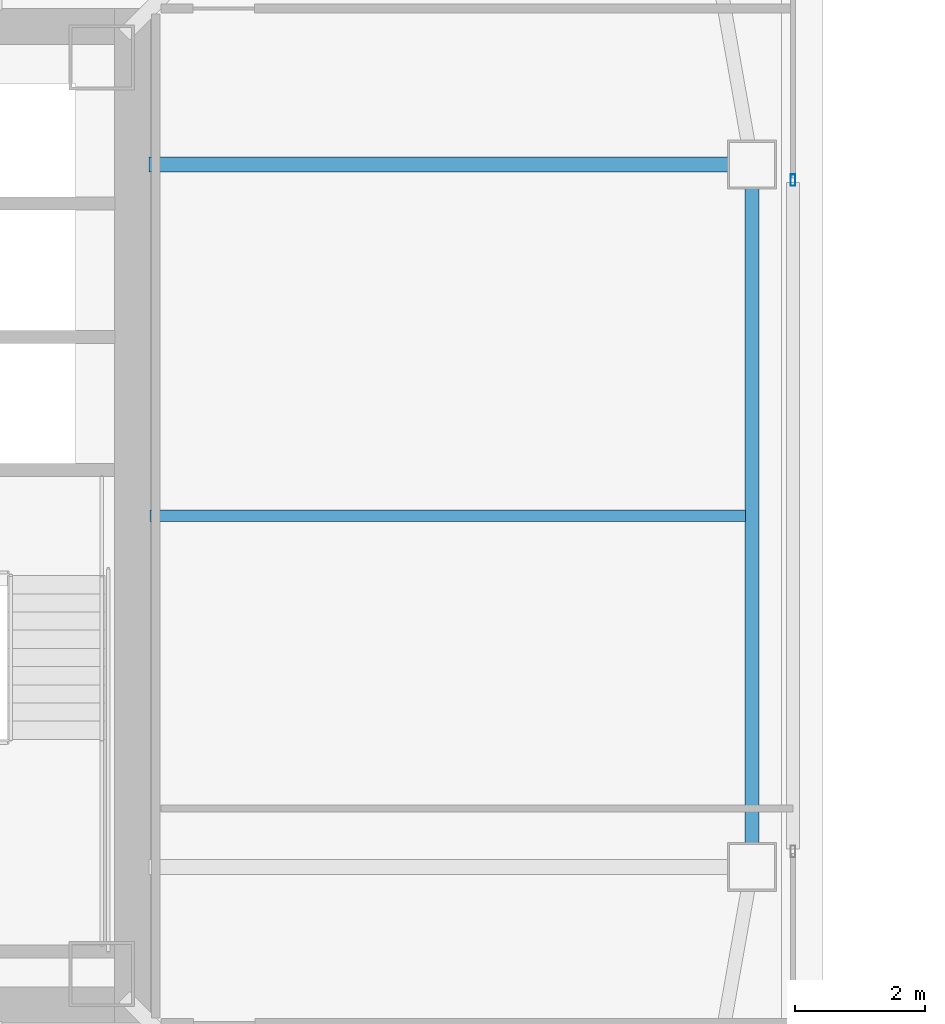
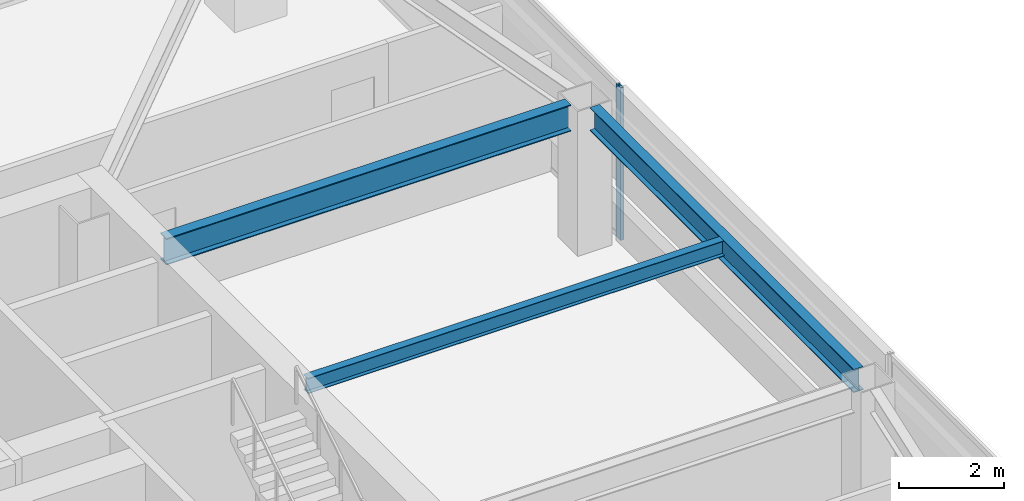
# One storey, part 10 of 41: 3 beams, 1 member, 1 element without a shape of its own.
"""IFC4 building model written with IfcOpenShell, lengths in metres."""

from ifc_helpers import new_model, si_unit, direction, frame, origin, origin_2d, place, context, subcontext, project, spatial, hollow_rectangle, i_section, extrude, material, material_profile, profile_set, type_object, element, aggregate, save


model = new_model("IFC4")

# Units and contexts
model_context = context("Model", 3, precision=1e-05, world=origin(), true_north=direction((0.0, 1.0)))
body_context = subcontext(model_context, "Body", "Model", "MODEL_VIEW")
ifc_project = project(units=[si_unit("LENGTHUNIT", "METRE"), si_unit("AREAUNIT", "SQUARE_METRE"), si_unit("VOLUMEUNIT", "CUBIC_METRE"), si_unit("PLANEANGLEUNIT", "RADIAN"), si_unit("MASSUNIT", "GRAM", prefix="KILO")], contexts=[model_context])

# Site, building, storey
site_placement = place(None, origin())
site = spatial("IfcSite", under=ifc_project, at=site_placement, CompositionType="ELEMENT")
building_placement = place(site_placement, origin())
building = spatial("IfcBuilding", under=site, at=building_placement, Name="Tashvorn Skyway Center", CompositionType="ELEMENT")
storey_placement = place(building_placement, frame((0.0, 0.0, 192.5)))
storey = spatial("IfcBuildingStorey", under=building, at=storey_placement, Name="L52", CompositionType="ELEMENT", Elevation=192.5)

# Beams
ifc_material_1 = material(Name="Steel ASTM A992 Grade 50", Category="steel")
ifc_material_profile_1 = material_profile(ifc_material_1, i_section(OverallWidth=0.22998046875, OverallDepth=0.616943359375, WebThickness=0.01318359375, FlangeThickness=0.022216796875, at=origin_2d()), Name="W24X94")
ifc_profile_set_1 = profile_set([ifc_material_profile_1], Name="Steel ASTM A992 Grade 50")
beam_type_1 = type_object("IfcBeamType", Name="BM-BEAM-W24X94", PredefinedType="BEAM", material=ifc_profile_set_1)
beam_1_placement = place(storey_placement, frame((58.679931640625, 37.39990234375, 3.0615234375), z_axis=(-1.0, 0.0, 0.0), x_axis=(0.0, -1.0, 0.0)))
element("IfcBeam", 1, at=beam_1_placement, inside=storey, type_object=beam_type_1, Name="Tower 1 L52 Primary Floor Girder FC-E2", PredefinedType="BEAM", context=body_context, shape_type="SweptSolid", body=[
    extrude(i_section(OverallWidth=0.22998046875, OverallDepth=0.616943359375, WebThickness=0.01318359375, FlangeThickness=0.022216796875, at=origin_2d()), origin(), (0.0, 0.0, 1.0), 8.89990234375),
])
ifc_material_profile_2 = material_profile(ifc_material_1, i_section(OverallWidth=0.1708984375, OverallDepth=0.35498046875, WebThickness=0.007080078125, FlangeThickness=0.01171875, at=origin_2d()), Name="W14X34")
ifc_profile_set_2 = profile_set([ifc_material_profile_2], Name="Steel ASTM A992 Grade 50")
beam_type_2 = type_object("IfcBeamType", Name="BM-JOIST-W14X34", PredefinedType="JOIST", material=ifc_profile_set_2)
beam_2_placement = place(storey_placement, frame((49.7900390625, 32.0, 3.1923828125), z_axis=(1.0, 0.0, 0.0), x_axis=(0.0, 1.0, 0.0)))
element("IfcBeam", 2, at=beam_2_placement, inside=storey, type_object=beam_type_2, Name="Tower 1 L52 Secondary Composite Joist JE", PredefinedType="JOIST", context=body_context, shape_type="SweptSolid", body=[
    extrude(i_section(OverallWidth=0.1708984375, OverallDepth=0.35498046875, WebThickness=0.007080078125, FlangeThickness=0.01171875, at=origin_2d()), origin(), (0.0, 0.0, 1.0), 9.162353515625),
])
ifc_material_profile_3 = material_profile(ifc_material_1, i_section(OverallWidth=0.2109375, OverallDepth=0.5390625, WebThickness=0.01171875, FlangeThickness=0.018798828125, at=origin_2d()), Name="W21X73")
ifc_profile_set_3 = profile_set([ifc_material_profile_3], Name="Steel ASTM A992 Grade 50")
beam_type_3 = type_object("IfcBeamType", Name="BM-SPANDREL-W21X73", PredefinedType="SPANDREL", material=ifc_profile_set_3)
beam_3_placement = place(storey_placement, frame((59.050048828125, 26.969970703125, 3.1005859375), z_axis=(0.0, 1.0, 0.0), x_axis=(-1.0, 0.0, 0.0)))
element("IfcBeam", 3, at=beam_3_placement, inside=storey, type_object=beam_type_3, Name="Tower 1 L52 Spandrel Beam 05", PredefinedType="SPANDREL", context=body_context, shape_type="SweptSolid", body=[
    extrude(i_section(OverallWidth=0.2109375, OverallDepth=0.5390625, WebThickness=0.01171875, FlangeThickness=0.018798828125, at=origin_2d()), origin(), (0.0, 0.0, 1.0), 10.06005859375),
])

# Curtain wall, member
ifc_material_2 = material(Name="Thermally broken bronze-anodized aluminium 6063-T6", Category="aluminium")
curtain_wall_type = type_object("IfcCurtainWallType", Name="CW-CW-Z4", PredefinedType="NOTDEFINED", material=ifc_material_2)
curtain_wall_placement = place(storey_placement, origin())
curtain_wall = element("IfcCurtainWall", 4, at=curtain_wall_placement, inside=storey, type_object=curtain_wall_type, Name="Tower 1 L52 East Unitised Curtain Wall Glazing Group 1", PredefinedType="NOTDEFINED")
ifc_material_profile_4 = material_profile(ifc_material_2, hollow_rectangle(XDim=0.070068359375, YDim=0.179931640625, WallThickness=0.00390625, at=origin_2d()), Name="ALU-MULL-70x180")
ifc_profile_set_4 = profile_set([ifc_material_profile_4], Name="Thermally broken bronze-anodized aluminium 6063-T6")
member_type = type_object("IfcMemberType", Name="CWM-CW-Z4", PredefinedType="MULLION", material=ifc_profile_set_4)
member_placement = place(storey_placement, frame((59.679931640625, 37.16162109375, 0.0), z_axis=(0.0, 0.0, 1.0), x_axis=(1.0, 0.0, 0.0)))
member = element("IfcMember", 5, at=member_placement, type_object=member_type, Name="CW-Z4 mullion 2", PredefinedType="MULLION", context=body_context, shape_type="SweptSolid", body=[
    extrude(hollow_rectangle(XDim=0.070068359375, YDim=0.179931640625, WallThickness=0.00390625, at=origin_2d()), origin(), (0.0, 0.0, 1.0), 3.550048828125),
])
aggregate(curtain_wall, [member])

save(model, "model.ifc")
